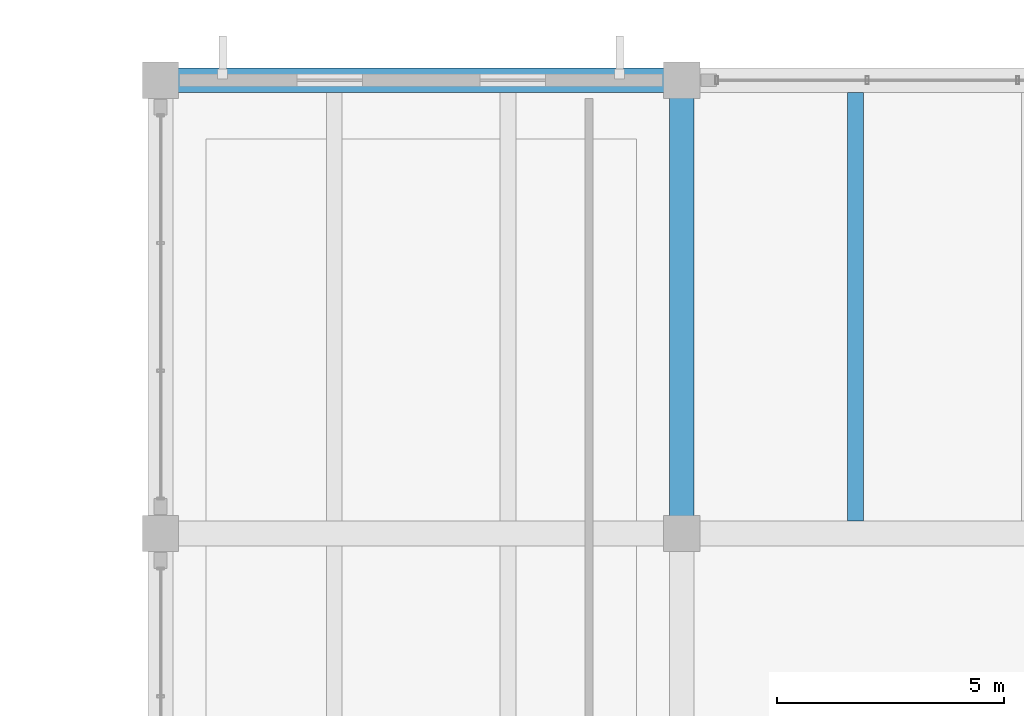
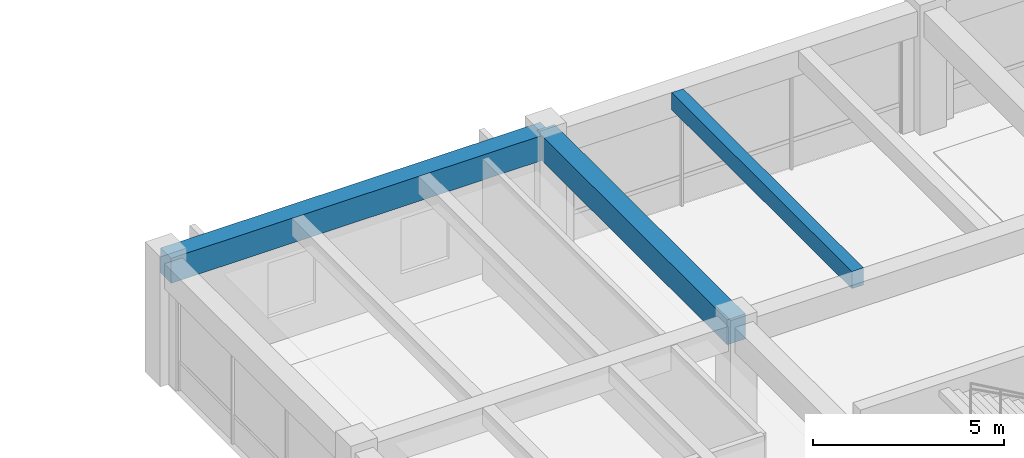
# One storey, part 16 of 33: 3 beams.
"""IFC4 building model written with IfcOpenShell, lengths in metres."""

from ifc_helpers import new_model, si_unit, direction, frame, origin, origin_2d, place, context, subcontext, project, spatial, rectangle, extrude, material, material_profile, profile_set, type_object, element, save


model = new_model("IFC4")

# Units and contexts
model_context = context("Model", 3, precision=1e-05, world=origin(), true_north=direction((0.0, 1.0)))
body_context = subcontext(model_context, "Body", "Model", "MODEL_VIEW")
ifc_project = project(units=[si_unit("LENGTHUNIT", "METRE"), si_unit("AREAUNIT", "SQUARE_METRE"), si_unit("VOLUMEUNIT", "CUBIC_METRE"), si_unit("PLANEANGLEUNIT", "RADIAN"), si_unit("MASSUNIT", "GRAM", prefix="KILO")], contexts=[model_context])

# Site, building, storey
site_placement = place(None, origin())
site = spatial("IfcSite", under=ifc_project, at=site_placement, CompositionType="ELEMENT")
building_placement = place(site_placement, origin())
building = spatial("IfcBuilding", under=site, at=building_placement, Name="Ologun Quay Terminus", CompositionType="ELEMENT")
storey_placement = place(building_placement, frame((0.0, 0.0, 18.300048828125)))
storey = spatial("IfcBuildingStorey", under=building, at=storey_placement, Name="L04", CompositionType="ELEMENT", Elevation=18.300048828125)

# Beams
ifc_material_1 = material(Name="Concrete C40/50", Category="concrete")
ifc_material_profile_1 = material_profile(ifc_material_1, rectangle(XDim=0.550048828125, YDim=0.800048828125, at=origin_2d()), Name="RC 550x800")
ifc_profile_set_1 = profile_set([ifc_material_profile_1], Name="Concrete C40/50")
beam_type_1 = type_object("IfcBeamType", Name="Courtyard Wing Primary Girder 550x800", PredefinedType="BEAM", material=ifc_profile_set_1)
beam_1_placement = place(storey_placement, frame((115.0, 114.800048828125, 3.5), z_axis=(1.0, 0.0, 0.0), x_axis=(0.0, 1.0, 0.0)))
element("IfcBeam", 1, at=beam_1_placement, inside=storey, type_object=beam_type_1, Name="B4 Beam 11/K L04", PredefinedType="BEAM", context=body_context, shape_type="SweptSolid", body=[
    extrude(rectangle(XDim=0.550048828125, YDim=0.800048828125, at=origin_2d()), origin(), (0.0, 0.0, 1.0), 11.5),
])
beam_2_placement = place(storey_placement, frame((126.5, 104.800048828125, 3.5), z_axis=(0.0, 1.0, 0.0), x_axis=(-1.0, 0.0, 0.0)))
element("IfcBeam", 2, at=beam_2_placement, inside=storey, type_object=beam_type_1, Name="B4 Beam 12/J L04", PredefinedType="BEAM", context=body_context, shape_type="SweptSolid", body=[
    extrude(rectangle(XDim=0.550048828125, YDim=0.800048828125, at=origin_2d()), origin(), (0.0, 0.0, 1.0), 10.0),
])
ifc_material_2 = material(Name="Concrete C40/50", Category="concrete")
ifc_material_profile_2 = material_profile(ifc_material_2, rectangle(XDim=0.35009765625, YDim=0.550048828125, at=origin_2d()), Name="RC 350x550")
ifc_profile_set_2 = profile_set([ifc_material_profile_2], Name="Concrete C40/50")
beam_type_2 = type_object("IfcBeamType", Name="Courtyard Wing Secondary Joist 350x550", PredefinedType="JOIST", material=ifc_profile_set_2)
beam_3_placement = place(storey_placement, frame((130.333251953125, 105.074951171875, 3.625), z_axis=(0.0, 1.0, 0.0), x_axis=(-1.0, 0.0, 0.0)))
element("IfcBeam", 3, at=beam_3_placement, inside=storey, type_object=beam_type_2, Name="J2 Beam 12/J L04", PredefinedType="JOIST", context=body_context, shape_type="SweptSolid", body=[
    extrude(rectangle(XDim=0.35009765625, YDim=0.550048828125, at=origin_2d()), origin(), (0.0, 0.0, 1.0), 9.449951171875),
])

save(model, "model.ifc")
